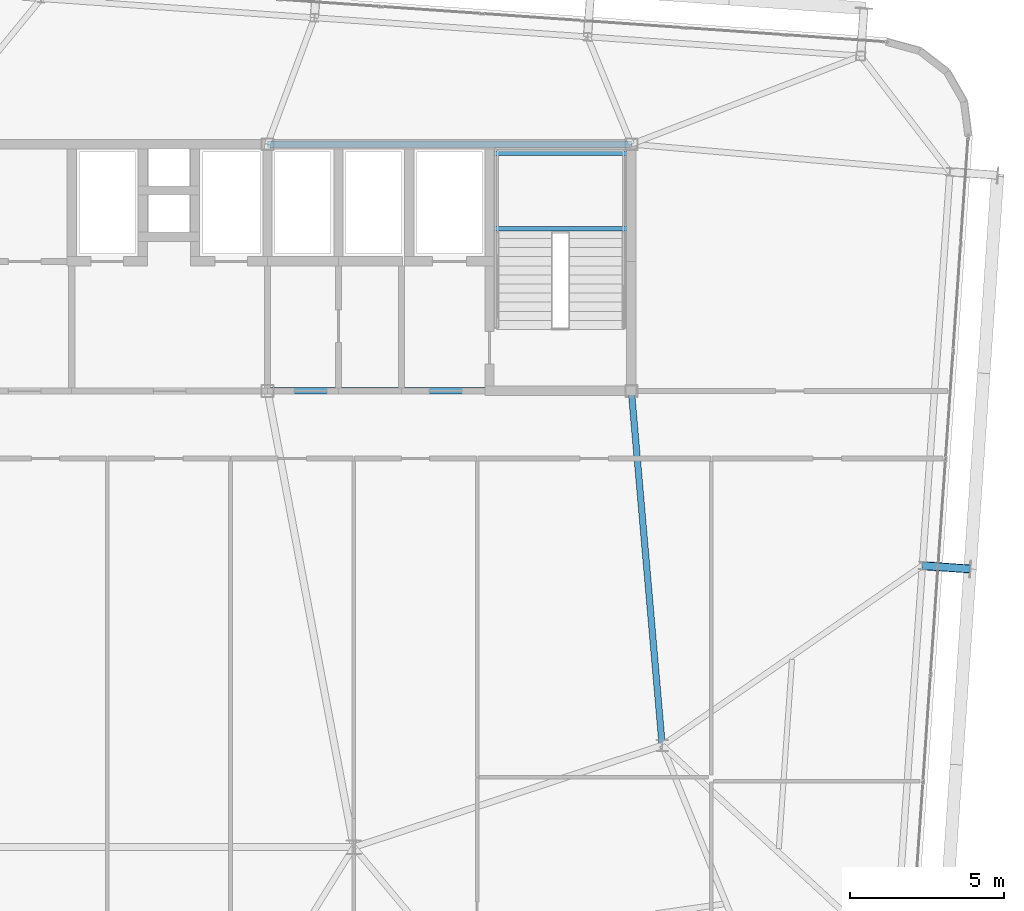
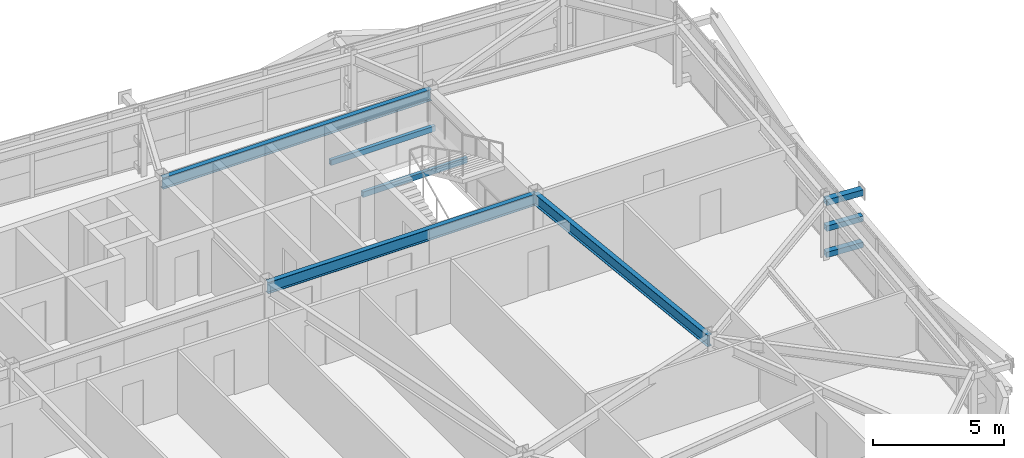
# One storey, part 23 of 47: 5 beams, 3 members.
"""IFC4 building model written with IfcOpenShell, lengths in metres."""

from ifc_helpers import new_model, si_unit, direction, frame, origin, origin_2d, place, context, subcontext, project, spatial, hollow_rectangle, i_section, extrude, source, transform, mapped, material, material_profile, profile_set, type_object, element, save


model = new_model("IFC4")

# Units and contexts
model_context = context("Model", 3, precision=1e-05, world=origin(), true_north=direction((0.0, 1.0)))
body_context = subcontext(model_context, "Body", "Model", "MODEL_VIEW")
ifc_project = project(units=[si_unit("LENGTHUNIT", "METRE"), si_unit("AREAUNIT", "SQUARE_METRE"), si_unit("VOLUMEUNIT", "CUBIC_METRE"), si_unit("PLANEANGLEUNIT", "RADIAN"), si_unit("MASSUNIT", "GRAM", prefix="KILO")], contexts=[model_context])

# Site, building, storey
site_placement = place(None, origin())
site = spatial("IfcSite", under=ifc_project, at=site_placement, CompositionType="ELEMENT")
building_placement = place(site_placement, origin())
building = spatial("IfcBuilding", under=site, at=building_placement, Name="Taldren Reach Tower", CompositionType="ELEMENT")
storey_placement = place(building_placement, frame((0.0, 0.0, 142.449951171875)))
storey = spatial("IfcBuildingStorey", under=building, at=storey_placement, Name="L43", CompositionType="ELEMENT", Elevation=142.449951171875)

# Beams
ifc_material_1 = material(Name="Steel Gr 350 (350PLUS)", Category="steel")
ifc_material_profile_1 = material_profile(ifc_material_1, i_section(OverallWidth=0.208984375, OverallDepth=0.532958984375, WebThickness=0.01025390625, FlangeThickness=0.015625, at=origin_2d()), Name="530UB92.4")
ifc_profile_set_1 = profile_set([ifc_material_profile_1], Name="Steel Gr 350 (350PLUS)")
beam_type_1 = type_object("IfcBeamType", Name="BM-UB530A", PredefinedType="BEAM", material=ifc_profile_set_1)
shared_shape_1 = source(origin(), body_context, "Body", "SweptSolid", [
    extrude(i_section(OverallWidth=0.208984375, OverallDepth=0.532958984375, WebThickness=0.01025390625, FlangeThickness=0.015625, at=origin_2d()), origin(), (0.0, 0.0, 1.0), 11.800048828125),
])
for number, where, z_axis, x_axis, name in (
    (1, (39.199951171875, 24.0, 2.66357421875), (1.0, 0.0, 0.0), (0.0, 1.0, 0.0), "Core-spine girder L43-SP03"),
    (2, (39.199951171875, 32.0, 2.66357421875), (1.0, 0.0, 0.0), (0.0, 1.0, 0.0), "Core-spine girder L43-SP06"),
):
    element("IfcBeam", number, at=place(storey_placement, frame(where, z_axis=z_axis, x_axis=x_axis)), inside=storey, type_object=beam_type_1, Name=name, PredefinedType="BEAM", context=body_context, shape_type="MappedRepresentation", body=[
        mapped(shared_shape_1, transform((0.0, 0.0, 0.0), scale=1.0)),
    ])
shared_shape_2 = source(origin(), body_context, "Body", "SweptSolid", [
    extrude(i_section(OverallWidth=0.208984375, OverallDepth=0.532958984375, WebThickness=0.01025390625, FlangeThickness=0.015625, at=origin_2d()), origin(), (0.0, 0.0, 1.0), 11.54345703125),
])
beam_placement = place(storey_placement, frame((52.0, 12.5, 2.66357421875), z_axis=(-0.086629616365, 0.996240588196, 0.0), x_axis=(-0.996240588196, -0.086629616365, 0.0)))
element("IfcBeam", 3, at=beam_placement, inside=storey, type_object=beam_type_1, Name="Core-spine girder L43-SP13", PredefinedType="BEAM", context=body_context, shape_type="MappedRepresentation", body=[
    mapped(shared_shape_2, transform((0.0, 0.0, 0.0), scale=1.0)),
])

# Members
ifc_material_2 = material(Name="Steel Gr 450 (C450L0)", Category="steel")
ifc_material_profile_2 = material_profile(ifc_material_2, hollow_rectangle(XDim=0.27490234375, YDim=0.27490234375, WallThickness=0.00927734375, at=origin_2d()), Name="275x275x9.3SHS")
ifc_profile_set_2 = profile_set([ifc_material_profile_2], Name="Steel Gr 450 (C450L0)")
member_type_1 = type_object("IfcMemberType", Name="MB-TIE273", PredefinedType="STRUT", material=ifc_profile_set_2)
shared_shape_3 = source(origin(), body_context, "Body", "SweptSolid", [
    extrude(hollow_rectangle(XDim=0.27490234375, YDim=0.27490234375, WallThickness=0.00927734375, at=origin_2d()), origin(), (0.0, 0.0, 1.0), 1.5498046875),
])
member_placement = place(storey_placement, frame((60.438232421875, 18.331787109375, 2.650146484375), z_axis=(0.997562367434, -0.069780535098, 0.0), x_axis=(0.069780535098, 0.997562367434, 0.0)))
element("IfcMember", 4, at=member_placement, inside=storey, type_object=member_type_1, Name="Exoskeleton diaphragm tie strut B3-E2 L43", PredefinedType="STRUT", context=body_context, shape_type="MappedRepresentation", body=[
    mapped(shared_shape_3, transform((0.0, 0.0, 0.0), scale=1.0)),
])
ifc_material_3 = material(Name="Steel Gr 350 (C350L0)", Category="steel")
ifc_material_profile_3 = material_profile(ifc_material_3, hollow_rectangle(XDim=0.25, YDim=0.25, WallThickness=0.010009765625, at=origin_2d()), Name="250x250x10.0SHS")
ifc_profile_set_3 = profile_set([ifc_material_profile_3], Name="Steel Gr 350 (C350L0)")
member_type_2 = type_object("IfcMemberType", Name="MB-POST250", PredefinedType="POST", material=ifc_profile_set_3)
shared_shape_4 = source(origin(), body_context, "Body", "SweptSolid", [
    extrude(hollow_rectangle(XDim=0.25, YDim=0.25, WallThickness=0.010009765625, at=origin_2d()), origin(), (0.0, 0.0, 1.0), 1.5498046875),
])
for number, where, z_axis, x_axis, name in (
    (5, (60.438232421875, 18.331787109375, 0.219970703125), (0.997562367434, -0.069780535098, 0.0), (0.069780535098, 0.997562367434, 0.0), "Exoskeleton base diaphragm tie strut B3-E2 L43"),
    (6, (60.438232421875, 18.331787109375, 1.43505859375), (0.997562367434, -0.069780535098, 0.0), (0.069780535098, 0.997562367434, 0.0), "Exoskeleton mid-tier diaphragm tie B3-E2 L43"),
):
    element("IfcMember", number, at=place(storey_placement, frame(where, z_axis=z_axis, x_axis=x_axis)), inside=storey, type_object=member_type_2, Name=name, PredefinedType="POST", context=body_context, shape_type="MappedRepresentation", body=[
        mapped(shared_shape_4, transform((0.0, 0.0, 0.0), scale=1.0)),
    ])

# Beams
ifc_material_profile_4 = material_profile(ifc_material_3, hollow_rectangle(XDim=0.14990234375, YDim=0.25, WallThickness=0.009033203125, at=origin_2d()), Name="250x150x9.0RHS")
ifc_profile_set_4 = profile_set([ifc_material_profile_4], Name="Steel Gr 350 (C350L0)")
beam_type_2 = type_object("IfcBeamType", Name="LN-RHS250", PredefinedType="LINTEL", material=ifc_profile_set_4)
shared_shape_5 = source(origin(), body_context, "Body", "SweptSolid", [
    extrude(hollow_rectangle(XDim=0.14990234375, YDim=0.25, WallThickness=0.009033203125, at=origin_2d()), origin(), (0.0, 0.0, 1.0), 4.60009765625),
])
for number, where, z_axis, x_axis, name in (
    (7, (46.39990234375, 29.2548828125, 1.27001953125), (1.0, 0.0, 0.0), (0.0, 1.0, 0.0), "Stair half-landing support beam ST2-L43-1"),
    (8, (46.39990234375, 31.699951171875, 1.27001953125), (1.0, 0.0, 0.0), (0.0, 1.0, 0.0), "Stair half-landing support beam ST2-L43-2"),
):
    element("IfcBeam", number, at=place(storey_placement, frame(where, z_axis=z_axis, x_axis=x_axis)), inside=storey, type_object=beam_type_2, Name=name, PredefinedType="LINTEL", context=body_context, shape_type="MappedRepresentation", body=[
        mapped(shared_shape_5, transform((0.0, 0.0, 0.0), scale=1.0)),
    ])

save(model, "model.ifc")
